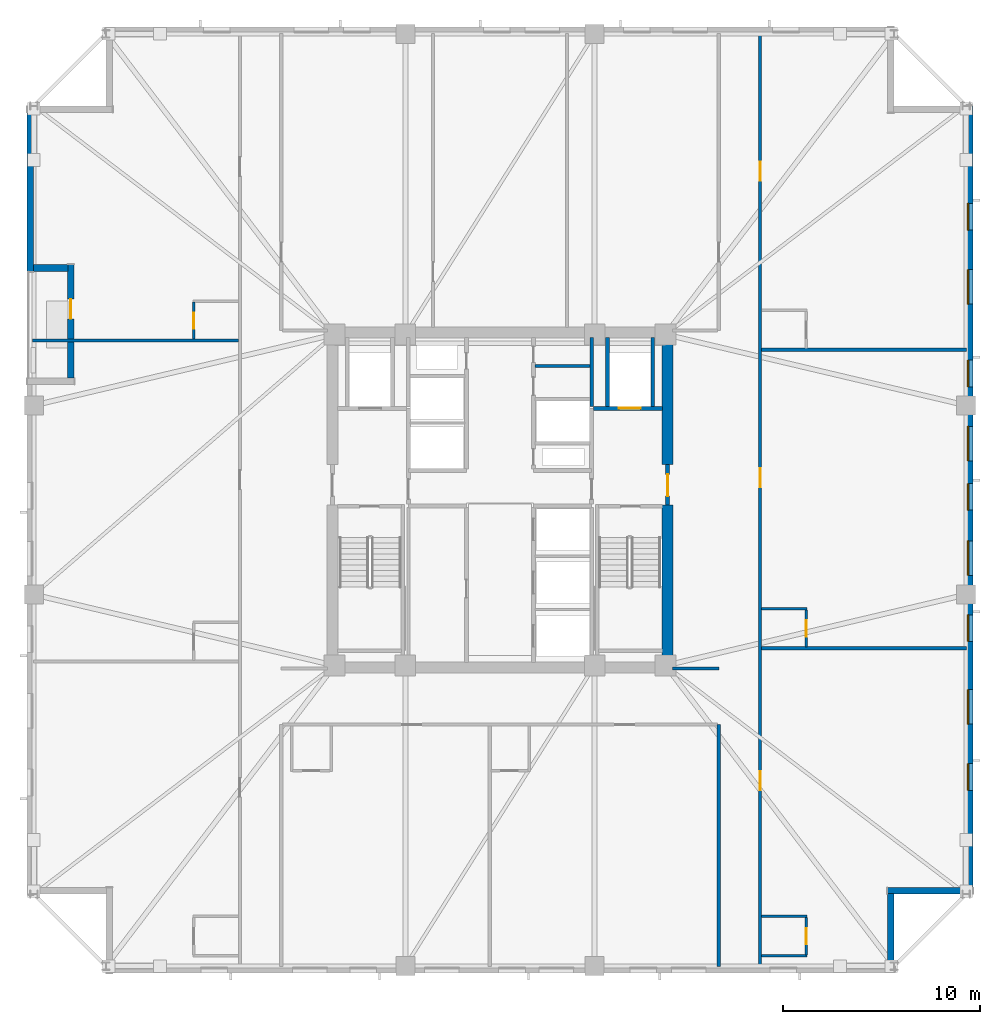
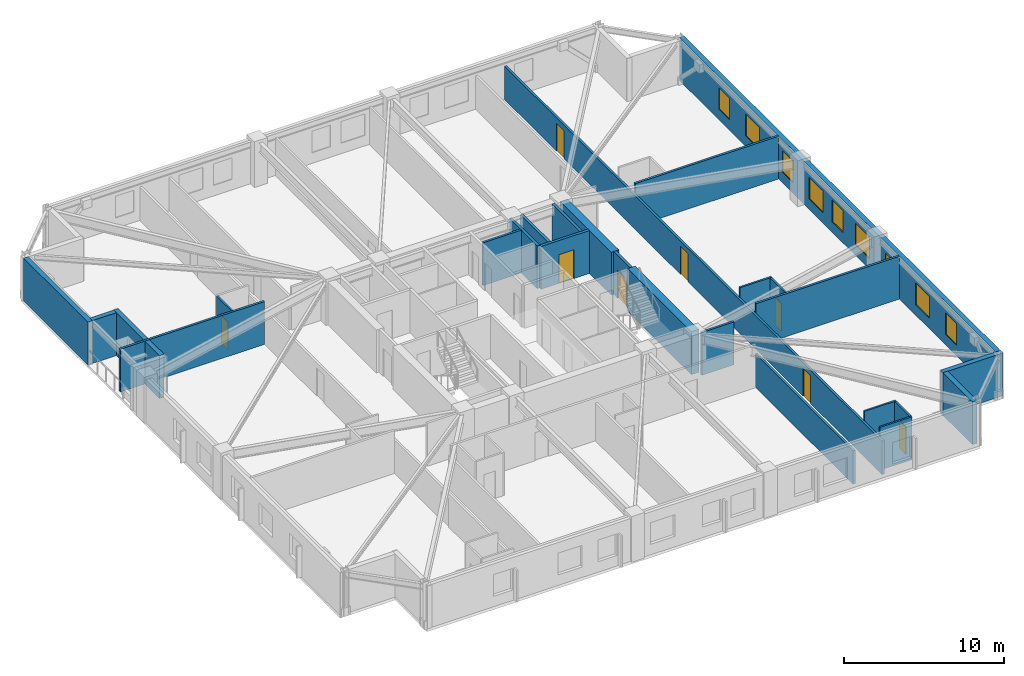
# One storey, part 4 of 10: 26 walls, 9 doors, 9 windows, 18 openings.
"""IFC4 building model written with IfcOpenShell, lengths in metres."""

import ifcopenshell
import ifcopenshell.guid

model = None  # the IFC model being written
_history = None  # IfcOwnerHistory: only IFC2X3 demands one
_inside = {}  # id of a spatial element -> (the spatial element, [elements in it])
_under = {}  # id of a project, library or spatial element -> (it, [spatial elements below it])
_declared = {}  # id of a project -> (the project, [libraries it declares])
_typed = {}  # id of a type object -> (the type object, [elements of that type])
_made_of = {}  # id of a material, layer set ... -> (it, [elements and type objects made of it])


def new_model(schema):
    """Start an empty IFC model of exactly this schema.

    Asked for "IFC4X3", IfcOpenShell would pick the latest addendum, in which some entities
    have other attributes; the version numbers below select the first issue.
    IFC2X3 requires an IfcOwnerHistory on every rooted entity: one is made here for all.
    """
    global model, _history
    if schema == "IFC4X3":
        model = ifcopenshell.file(schema_version=(4, 3, 0, 0))
    else:
        model = ifcopenshell.file(schema=schema)
    _inside.clear()
    _under.clear()
    _declared.clear()
    _typed.clear()
    _made_of.clear()
    _history = None
    if model.schema == "IFC2X3":
        org = make("IfcOrganization", Name="unknown")
        user = make(
            "IfcPersonAndOrganization",
            ThePerson=make("IfcPerson", FamilyName="unknown"),
            TheOrganization=org,
        )
        app = make(
            "IfcApplication",
            ApplicationDeveloper=org,
            Version="unknown",
            ApplicationFullName="unknown",
            ApplicationIdentifier="unknown",
        )
        _history = make(
            "IfcOwnerHistory",
            OwningUser=user,
            OwningApplication=app,
            ChangeAction="ADDED",
            CreationDate=0,
        )
    return model


def make(cls, **values):
    """One entity of the class cls with the attributes given. An attribute that is None is left unset."""
    return model.create_entity(
        cls, **{name: value for name, value in values.items() if value is not None}
    )


def rooted(cls, **values):
    """An entity with a GlobalId (a new one), such as an element, a storey or a relation."""
    return make(cls, GlobalId=ifcopenshell.guid.new(), OwnerHistory=_history, **values)


def si_unit(unit_type, name, prefix=None):
    """IfcSIUnit, for example si_unit("LENGTHUNIT", "METRE", prefix="MILLI")."""
    return make("IfcSIUnit", UnitType=unit_type, Prefix=prefix, Name=name)


def assignment(units):
    """IfcUnitAssignment: the units of a project."""
    return None if units is None else make("IfcUnitAssignment", Units=units)


def point(xyz):
    """IfcCartesianPoint."""
    return None if xyz is None else make("IfcCartesianPoint", Coordinates=xyz)


def direction(xyz):
    """IfcDirection."""
    return None if xyz is None else make("IfcDirection", DirectionRatios=xyz)


def frame(location, z_axis=None, x_axis=None):
    """IfcAxis2Placement3D, a coordinate frame: its origin and axes. An axis left out is left unset."""
    return make(
        "IfcAxis2Placement3D",
        Location=point(location),
        Axis=direction(z_axis),
        RefDirection=direction(x_axis),
    )


def frame_2d(location, x_axis=None):
    """IfcAxis2Placement2D, a coordinate frame in the plane: its origin and x axis."""
    return make(
        "IfcAxis2Placement2D", Location=point(location), RefDirection=direction(x_axis)
    )


def origin():
    """The frame at (0, 0, 0) with its axes left unset."""
    return frame((0.0, 0.0, 0.0))


def place(relative_to, where):
    """IfcLocalPlacement: puts the frame where relative to a parent placement (None: the world)."""
    return make(
        "IfcLocalPlacement", PlacementRelTo=relative_to, RelativePlacement=where
    )


def context(
    kind, dimensions, precision=None, world=None, true_north=None, identifier=None
):
    """IfcGeometricRepresentationContext, for example the 3D "Model" context."""
    return make(
        "IfcGeometricRepresentationContext",
        ContextIdentifier=identifier,
        ContextType=kind,
        CoordinateSpaceDimension=dimensions,
        Precision=precision,
        WorldCoordinateSystem=world,
        TrueNorth=true_north,
    )


def subcontext(parent, identifier, kind, view, scale=None):
    """IfcGeometricRepresentationSubContext, for example "Body" below "Model"."""
    return make(
        "IfcGeometricRepresentationSubContext",
        ContextIdentifier=identifier,
        ContextType=kind,
        ParentContext=parent,
        TargetScale=scale,
        TargetView=view,
    )


def project(units=None, contexts=None):
    """IfcProject with its units and contexts."""
    return rooted(
        "IfcProject",
        Name="project",
        RepresentationContexts=contexts,
        UnitsInContext=assignment(units),
    )


def spatial(cls, under=None, at=None, **own):
    """A site, building, storey or space (cls), placed at a placement, below another one or the project."""
    s = rooted(cls, ObjectPlacement=at, **own)
    if under is not None:
        _under.setdefault(under.id(), (under, []))[1].append(s)
    return s


def profile(cls, at=None, kind="AREA", **sizes):
    """A parametric profile (cls). Its sizes go by their IFC names, for example OverallWidth=200.0."""
    return make(cls, ProfileType=kind, Position=at, **sizes)


def rectangle(**sizes):
    """IfcRectangleProfileDef."""
    return profile("IfcRectangleProfileDef", **sizes)


def extrude(swept, where, along, depth):
    """IfcExtrudedAreaSolid: the profile swept, set in the frame where, extruded along a direction by depth."""
    return make(
        "IfcExtrudedAreaSolid",
        SweptArea=swept,
        Position=where,
        ExtrudedDirection=direction(along),
        Depth=depth,
    )


def shape(context_of_items, identifier, shape_type, items):
    """IfcShapeRepresentation: the items that make up one representation, for example the "Body"."""
    return make(
        "IfcShapeRepresentation",
        ContextOfItems=context_of_items,
        RepresentationIdentifier=identifier,
        RepresentationType=shape_type,
        Items=items,
    )


def material(Name=None, Category=None):
    """IfcMaterial."""
    return make("IfcMaterial", Name=Name, Category=Category)


def layer(
    of_material, thickness, ventilated=None, Name=None, Category=None, Priority=None
):
    """IfcMaterialLayer: one layer of a wall or slab, of a material (None: an air gap)."""
    return make(
        "IfcMaterialLayer",
        Material=of_material,
        LayerThickness=thickness,
        IsVentilated=ventilated,
        Name=Name,
        Category=Category,
        Priority=Priority,
    )


def layer_set(layers, Name=None):
    """IfcMaterialLayerSet."""
    return make("IfcMaterialLayerSet", MaterialLayers=layers, LayerSetName=Name)


def made_of(thing, what):
    """Note that an element or type object is made of a material, layer set ...; save() writes the relation."""
    if what is not None:
        _made_of.setdefault(what.id(), (what, []))[1].append(thing)
    return thing


def type_object(cls, material=None, **own):
    """A type object (cls), such as IfcWallType, which elements share."""
    return made_of(rooted(cls, **own), material)


def element(
    cls,
    number,
    at=None,
    inside=None,
    cuts=None,
    type_object=None,
    material=None,
    context=None,
    identifier="Body",
    shape_type=None,
    held_by="IfcProductDefinitionShape",
    body=None,
    shapes=None,
    **own,
):
    """One element of the class cls, such as IfcWall. Its Tag is "e" and its number.

    at: its placement. inside: the storey or other place that contains it. cuts: it is an
    opening in that element (IfcRelVoidsElement). A single representation is given by context,
    identifier, shape_type and body (its items); several are given by shapes. held_by: the class
    of the entity that holds the representations. save() writes the other relations.
    """
    e = rooted(cls, Tag="e%d" % number, ObjectPlacement=at, **own)
    if body is not None:
        shapes = [shape(context, identifier, shape_type, body)]
    if shapes is not None:
        e.Representation = make(held_by, Representations=shapes)
    if inside is not None:
        _inside.setdefault(inside.id(), (inside, []))[1].append(e)
    if cuts is not None:
        rooted(
            "IfcRelVoidsElement", RelatingBuildingElement=cuts, RelatedOpeningElement=e
        )
    if type_object is not None:
        _typed.setdefault(type_object.id(), (type_object, []))[1].append(e)
    return made_of(e, material)


def fill(opening, filler):
    """IfcRelFillsElement: the door or window that sits in an opening."""
    return rooted(
        "IfcRelFillsElement",
        RelatingOpeningElement=opening,
        RelatedBuildingElement=filler,
    )


def aggregate(whole, parts):
    """IfcRelAggregates: a whole, such as a stair, and the parts it consists of."""
    return rooted("IfcRelAggregates", RelatingObject=whole, RelatedObjects=parts)


def save(model, path):
    """Write the relations noted so far, then the file.

    IfcRelAggregates (storeys below a building ...), IfcRelContainedInSpatialStructure (elements
    in a storey), IfcRelDefinesByType, IfcRelAssociatesMaterial and IfcRelDeclares: one each for
    every whole, place, type object, material and project.
    """
    for whole, parts in _under.values():
        aggregate(whole, parts)
    for where, things in _inside.values():
        rooted(
            "IfcRelContainedInSpatialStructure",
            RelatedElements=things,
            RelatingStructure=where,
        )
    for kind, things in _typed.values():
        rooted("IfcRelDefinesByType", RelatedObjects=things, RelatingType=kind)
    for what, things in _made_of.values():
        rooted("IfcRelAssociatesMaterial", RelatedObjects=things, RelatingMaterial=what)
    for by, libraries in _declared.values():
        rooted("IfcRelDeclares", RelatingContext=by, RelatedDefinitions=libraries)
    model.write(path)


model = new_model("IFC4")

# Units and contexts
model_context = context("Model", 3, precision=1e-05, world=origin(), true_north=direction((0.0, 1.0)))
body_context = subcontext(model_context, "Body", "Model", "MODEL_VIEW")
ifc_project = project(units=[si_unit("LENGTHUNIT", "METRE"), si_unit("AREAUNIT", "SQUARE_METRE"), si_unit("VOLUMEUNIT", "CUBIC_METRE"), si_unit("PLANEANGLEUNIT", "RADIAN"), si_unit("MASSUNIT", "GRAM", prefix="KILO")], contexts=[model_context])

# Site, building, storey
site_placement = place(None, origin())
site = spatial("IfcSite", under=ifc_project, at=site_placement, CompositionType="ELEMENT")
building_placement = place(site_placement, origin())
building = spatial("IfcBuilding", under=site, at=building_placement, Name="Cairnveth Concourse Tower", CompositionType="ELEMENT")
storey_placement = place(building_placement, frame((0.0, 0.0, 113.0)))
storey = spatial("IfcBuildingStorey", under=building, at=storey_placement, Name="L30", CompositionType="ELEMENT", Elevation=113.0)

# Wall
ifc_material_1 = material(Name="Gypsum Plasterboard Partition", Category="gypsum")
ifc_layer_1 = layer(ifc_material_1, 0.159912109375)
ifc_layer_set_1 = layer_set([ifc_layer_1], Name="Gypsum Plasterboard Partition")
wall_type_1 = type_object("IfcWallType", Name="ACOUSTIC PARTY WALL 180", PredefinedType="PARTITIONING", material=ifc_layer_set_1)
wall_1_placement = place(storey_placement, frame((53.784912109375, 45.800048828125, 0.0), z_axis=(0.0, 0.0, 1.0), x_axis=(1.0, 0.0, 0.0)))
element("IfcWall", 1, at=wall_1_placement, inside=storey, type_object=wall_type_1, Name="Interior Wall IW-L30-035", PredefinedType="PARTITIONING", context=body_context, shape_type="SweptSolid", body=[
    extrude(rectangle(XDim=2.7900390625, YDim=0.159912109375, at=frame_2d((1.39501953125, 0.0))), origin(), (0.0, 0.0, 1.0), 3.280029296875),
])

# Wall, openings, doors
wall_2_placement = place(storey_placement, frame((65.199951171875, 15.324951171875, 0.0), z_axis=(0.0, 0.0, 1.0), x_axis=(0.0, 1.0, 0.0)))
wall_2 = element("IfcWall", 2, at=wall_2_placement, inside=storey, type_object=wall_type_1, Name="Interior Wall IW-L30-041", PredefinedType="PARTITIONING", context=body_context, shape_type="SweptSolid", body=[
    extrude(rectangle(XDim=47.35009765625, YDim=0.159912109375, at=frame_2d((23.675048828125, 0.0))), origin(), (0.0, 0.0, 1.0), 2.554931640625),
])
opening_1_placement = place(wall_2_placement, frame((8.944091796875, 0.0, 0.0)))
opening_1 = element("IfcOpeningElement", 3, at=opening_1_placement, cuts=wall_2, Name="Opening ID09", PredefinedType="OPENING", context=body_context, shape_type="SweptSolid", body=[
    extrude(rectangle(XDim=0.9599609375, YDim=2.14990234375, at=frame_2d((0.47998046875, 1.074951171875))), frame((0.0, 0.08984375, 0.0), z_axis=(0.0, -1.0, 0.0), x_axis=(1.0, 0.0, 0.0)), (0.0, 0.0, 1.0), 0.179931640625),
])
opening_2_placement = place(wall_2_placement, frame((24.322021484375, 0.0, 0.0)))
opening_2 = element("IfcOpeningElement", 4, at=opening_2_placement, cuts=wall_2, Name="Opening ID09", PredefinedType="OPENING", context=body_context, shape_type="SweptSolid", body=[
    extrude(rectangle(XDim=0.9599609375, YDim=2.14990234375, at=frame_2d((0.47998046875, 1.074951171875))), frame((0.0, 0.08984375, 0.0), z_axis=(0.0, -1.0, 0.0), x_axis=(1.0, 0.0, 0.0)), (0.0, 0.0, 1.0), 0.179931640625),
])
opening_3_placement = place(wall_2_placement, frame((39.873046875, 0.0, 0.0)))
opening_3 = element("IfcOpeningElement", 5, at=opening_3_placement, cuts=wall_2, Name="Opening ID09", PredefinedType="OPENING", context=body_context, shape_type="SweptSolid", body=[
    extrude(rectangle(XDim=0.9599609375, YDim=2.14990234375, at=frame_2d((0.47998046875, 1.074951171875))), frame((0.0, 0.08984375, 0.0), z_axis=(0.0, -1.0, 0.0), x_axis=(1.0, 0.0, 0.0)), (0.0, 0.0, 1.0), 0.179931640625),
])
ifc_material_2 = material(Name="Solid Core Hardwood Timber Leaf", Category="wood")
door_type_1 = type_object("IfcDoorType", Name="HOTEL ENTRANCE DOOR 960X2150", OperationType="NOTDEFINED", PredefinedType="DOOR", material=ifc_material_2)
door_1_placement = place(opening_1_placement, origin())
door_1 = element("IfcDoor", 6, at=door_1_placement, inside=storey, type_object=door_type_1, Name="Hotel Room Door L30-E1", OperationType="SINGLE_SWING_LEFT", OverallHeight=2.14990234375, OverallWidth=0.9599609375, PredefinedType="DOOR", context=body_context, shape_type="SweptSolid", body=[
    extrude(rectangle(XDim=0.9599609375, YDim=2.14990234375, at=frame_2d((0.47998046875, 1.074951171875))), frame((0.0, 0.02490234375, 0.0), z_axis=(0.0, -1.0, 0.0), x_axis=(1.0, 0.0, 0.0)), (0.0, 0.0, 1.0), 0.050048828125),
])
fill(opening_1, door_1)
door_2_placement = place(opening_2_placement, origin())
door_2 = element("IfcDoor", 7, at=door_2_placement, inside=storey, type_object=door_type_1, Name="Hotel Room Door L30-E2", OperationType="SINGLE_SWING_LEFT", OverallHeight=2.14990234375, OverallWidth=0.9599609375, PredefinedType="DOOR", context=body_context, shape_type="SweptSolid", body=[
    extrude(rectangle(XDim=0.9599609375, YDim=2.14990234375, at=frame_2d((0.47998046875, 1.074951171875))), frame((0.0, 0.02490234375, 0.0), z_axis=(0.0, -1.0, 0.0), x_axis=(1.0, 0.0, 0.0)), (0.0, 0.0, 1.0), 0.050048828125),
])
fill(opening_2, door_2)
door_3_placement = place(opening_3_placement, origin())
door_3 = element("IfcDoor", 8, at=door_3_placement, inside=storey, type_object=door_type_1, Name="Hotel Room Door L30-E3", OperationType="SINGLE_SWING_LEFT", OverallHeight=2.14990234375, OverallWidth=0.9599609375, PredefinedType="DOOR", context=body_context, shape_type="SweptSolid", body=[
    extrude(rectangle(XDim=0.9599609375, YDim=2.14990234375, at=frame_2d((0.47998046875, 1.074951171875))), frame((0.0, 0.02490234375, 0.0), z_axis=(0.0, -1.0, 0.0), x_axis=(1.0, 0.0, 0.0)), (0.0, 0.0, 1.0), 0.050048828125),
])
fill(opening_3, door_3)

# Walls
wall_3_placement = place(storey_placement, frame((63.10009765625, 15.324951171875, 0.0), z_axis=(0.0, 0.0, 1.0), x_axis=(0.0, 1.0, 0.0)))
element("IfcWall", 9, at=wall_3_placement, inside=storey, type_object=wall_type_1, Name="Interior Wall IW-L30-042", PredefinedType="PARTITIONING", context=body_context, shape_type="SweptSolid", body=[
    extrude(rectangle(XDim=12.275146484375, YDim=0.159912109375, at=frame_2d((6.1376953125, 0.0))), origin(), (0.0, 0.0, 1.0), 2.554931640625),
])
wall_4_placement = place(storey_placement, frame((60.764892578125, 30.449951171875, 0.0), z_axis=(0.0, 0.0, 1.0), x_axis=(1.0, 0.0, 0.0)))
element("IfcWall", 10, at=wall_4_placement, inside=storey, type_object=wall_type_1, Name="Interior Wall IW-L30-044", PredefinedType="PARTITIONING", context=body_context, shape_type="SweptSolid", body=[
    extrude(rectangle(XDim=2.335205078125, YDim=0.159912109375, at=frame_2d((1.16748046875, 0.0))), origin(), (0.0, 0.0, 1.0), 3.280029296875),
])
wall_5_placement = place(storey_placement, frame((28.27001953125, 47.093994140625, 0.0), z_axis=(0.0, 0.0, 1.0), x_axis=(1.0, 0.0, 0.0)))
element("IfcWall", 11, at=wall_5_placement, inside=storey, type_object=wall_type_1, Name="Interior Wall IW-L30-061", PredefinedType="PARTITIONING", context=body_context, shape_type="SweptSolid", body=[
    extrude(rectangle(XDim=10.449951171875, YDim=0.159912109375, at=frame_2d((5.22509765625, 0.0))), origin(), (0.0, 0.0, 1.0), 3.280029296875),
])
for number, where, z_axis, x_axis, name in (
    (12, (65.280029296875, 31.47802734375, 0.0), (0.0, 0.0, 1.0), (1.0, 0.0, 0.0), "Interior Wall IW-L30-067"),
    (13, (65.280029296875, 46.6259765625, 0.0), (0.0, 0.0, 1.0), (1.0, 0.0, 0.0), "Interior Wall IW-L30-070"),
):
    element("IfcWall", number, at=place(storey_placement, frame(where, z_axis=z_axis, x_axis=x_axis)), inside=storey, type_object=wall_type_1, Name=name, PredefinedType="PARTITIONING", context=body_context, shape_type="SweptSolid", body=[
        extrude(rectangle(XDim=10.39501953125, YDim=0.159912109375, at=frame_2d((5.197509765625, 0.0))), origin(), (0.0, 0.0, 1.0), 3.280029296875),
    ])
ifc_material_3 = material(Name="Concrete N80 (80 MPa)", Category="concrete")
ifc_layer_2 = layer(ifc_material_3, 0.550048828125)
ifc_layer_set_2 = layer_set([ifc_layer_2], Name="Concrete N80 (80 MPa)")
wall_type_2 = type_object("IfcWallType", Name="CORE SHEAR WALL 550", PredefinedType="SHEAR", material=ifc_layer_set_2)
wall_6_placement = place(storey_placement, frame((60.5, 30.764892578125, 0.0), z_axis=(0.0, 0.0, 1.0), x_axis=(0.0, 1.0, 0.0)))
element("IfcWall", 14, at=wall_6_placement, inside=storey, type_object=wall_type_2, Name="Core East Shear Wall S L30", PredefinedType="SHEAR", context=body_context, shape_type="SweptSolid", body=[
    extrude(rectangle(XDim=7.985107421875, YDim=0.550048828125, at=frame_2d((3.99267578125, 0.0))), origin(), (0.0, 0.0, 1.0), 3.280029296875),
])
wall_7_placement = place(storey_placement, frame((60.5, 40.800048828125, 0.0), z_axis=(0.0, 0.0, 1.0), x_axis=(0.0, 1.0, 0.0)))
element("IfcWall", 15, at=wall_7_placement, inside=storey, type_object=wall_type_2, Name="Core East Shear Wall N L30", PredefinedType="SHEAR", context=body_context, shape_type="SweptSolid", body=[
    extrude(rectangle(XDim=6.43505859375, YDim=0.550048828125, at=frame_2d((3.217529296875, 0.0))), origin(), (0.0, 0.0, 1.0), 3.280029296875),
])
ifc_material_4 = material(Name="Concrete N50 (50 MPa)", Category="concrete")
ifc_layer_3 = layer(ifc_material_4, 0.179931640625)
ifc_layer_set_3 = layer_set([ifc_layer_3], Name="Concrete N50 (50 MPa)")
wall_type_3 = type_object("IfcWallType", Name="FIRE SHAFT WALL 180", PredefinedType="SOLIDWALL", material=ifc_layer_set_3)
wall_8_placement = place(storey_placement, frame((56.64990234375, 43.735107421875, 0.0), z_axis=(0.0, 0.0, 1.0), x_axis=(0.0, 1.0, 0.0)))
element("IfcWall", 16, at=wall_8_placement, inside=storey, type_object=wall_type_3, Name="Interior Wall IW-L30-032", PredefinedType="SOLIDWALL", context=body_context, shape_type="SweptSolid", body=[
    extrude(rectangle(XDim=3.5048828125, YDim=0.179931640625, at=frame_2d((1.75244140625, 0.0))), origin(), (0.0, 0.0, 1.0), 3.280029296875),
])

# Wall, opening, door
ifc_layer_4 = layer(ifc_material_4, 0.199951171875)
ifc_layer_set_4 = layer_set([ifc_layer_4], Name="Concrete N50 (50 MPa)")
wall_type_4 = type_object("IfcWallType", Name="FIRE SHAFT WALL 200", PredefinedType="SOLIDWALL", material=ifc_layer_set_4)
wall_9_placement = place(storey_placement, frame((60.5, 38.75, 0.0), z_axis=(0.0, 0.0, 1.0), x_axis=(0.0, 1.0, 0.0)))
wall_9 = element("IfcWall", 17, at=wall_9_placement, inside=storey, type_object=wall_type_4, Name="Interior Wall IW-L30-020", PredefinedType="SOLIDWALL", context=body_context, shape_type="SweptSolid", body=[
    extrude(rectangle(XDim=2.050048828125, YDim=0.199951171875, at=frame_2d((1.02490234375, 0.0))), origin(), (0.0, 0.0, 1.0), 3.280029296875),
])
opening_4_placement = place(wall_9_placement, frame((0.449951171875, 0.0, 0.0)))
opening_4 = element("IfcOpeningElement", 18, at=opening_4_placement, cuts=wall_9, Name="Opening ID06", PredefinedType="OPENING", context=body_context, shape_type="SweptSolid", body=[
    extrude(rectangle(XDim=1.10009765625, YDim=2.14990234375, at=frame_2d((0.550048828125, 1.074951171875))), frame((0.0, 0.10986328125, 0.0), z_axis=(0.0, -1.0, 0.0), x_axis=(1.0, 0.0, 0.0)), (0.0, 0.0, 1.0), 0.219970703125),
])
ifc_material_5 = material(Name="Steel Grade 350", Category="steel")
door_type_2 = type_object("IfcDoorType", Name="FIRE CORRIDOR DOOR 1100X2150", OperationType="NOTDEFINED", PredefinedType="DOOR", material=ifc_material_5)
door_4_placement = place(opening_4_placement, origin())
door_4 = element("IfcDoor", 19, at=door_4_placement, inside=storey, type_object=door_type_2, Name="East Wing to FF Lobby Door L30", OperationType="SINGLE_SWING_RIGHT", OverallHeight=2.14990234375, OverallWidth=1.10009765625, PredefinedType="DOOR", context=body_context, shape_type="SweptSolid", body=[
    extrude(rectangle(XDim=1.10009765625, YDim=2.14990234375, at=frame_2d((0.550048828125, 1.074951171875))), frame((0.0, 0.02490234375, 0.0), z_axis=(0.0, -1.0, 0.0), x_axis=(1.0, 0.0, 0.0)), (0.0, 0.0, 1.0), 0.050048828125),
])
fill(opening_4, door_4)

wall_10_placement = place(storey_placement, frame((56.735107421875, 43.64990234375, 0.0), z_axis=(0.0, 0.0, 1.0), x_axis=(1.0, 0.0, 0.0)))
wall_10 = element("IfcWall", 20, at=wall_10_placement, inside=storey, type_object=wall_type_4, Name="Interior Wall IW-L30-022", PredefinedType="SOLIDWALL", context=body_context, shape_type="SweptSolid", body=[
    extrude(rectangle(XDim=3.5048828125, YDim=0.199951171875, at=frame_2d((1.75244140625, 0.0))), origin(), (0.0, 0.0, 1.0), 3.280029296875),
])
opening_5_placement = place(wall_10_placement, frame((1.294921875, 0.0, 0.0)))
opening_5 = element("IfcOpeningElement", 21, at=opening_5_placement, cuts=wall_10, Name="Opening LD-1", PredefinedType="OPENING", context=body_context, shape_type="SweptSolid", body=[
    extrude(rectangle(XDim=1.10009765625, YDim=2.199951171875, at=frame_2d((0.550048828125, 1.10009765625))), frame((0.0, 0.10986328125, 0.0), z_axis=(0.0, -1.0, 0.0), x_axis=(1.0, 0.0, 0.0)), (0.0, 0.0, 1.0), 0.219970703125),
])
ifc_material_6 = material(Name="Architectural Bronze Anodised Aluminium 6063-T6", Category="aluminium")
door_type_3 = type_object("IfcDoorType", Name="LIFT LANDING DOOR 1100X2200", OperationType="SLIDING_TO_LEFT", PredefinedType="DOOR", material=ifc_material_6)
door_5_placement = place(opening_5_placement, origin())
door_5 = element("IfcDoor", 22, at=door_5_placement, inside=storey, type_object=door_type_3, Name="Lift FFL2 Landing Door L30", OperationType="SLIDING_TO_LEFT", OverallHeight=2.199951171875, OverallWidth=1.10009765625, PredefinedType="DOOR", context=body_context, shape_type="SweptSolid", body=[
    extrude(rectangle(XDim=1.10009765625, YDim=2.199951171875, at=frame_2d((0.550048828125, 1.10009765625))), frame((0.0, 0.02490234375, 0.0), z_axis=(0.0, -1.0, 0.0), x_axis=(1.0, 0.0, 0.0)), (0.0, 0.0, 1.0), 0.050048828125),
])
fill(opening_5, door_5)

# Walls
for number, where, z_axis, x_axis, name in (
    (23, (57.449951171875, 43.735107421875, 0.0), (0.0, 0.0, 1.0), (0.0, 1.0, 0.0), "Interior Wall IW-L30-023"),
    (24, (59.75, 43.735107421875, 0.0), (0.0, 0.0, 1.0), (0.0, 1.0, 0.0), "Interior Wall IW-L30-024"),
):
    element("IfcWall", number, at=place(storey_placement, frame(where, z_axis=z_axis, x_axis=x_axis)), inside=storey, type_object=wall_type_4, Name=name, PredefinedType="SOLIDWALL", context=body_context, shape_type="SweptSolid", body=[
        extrude(rectangle(XDim=3.5048828125, YDim=0.199951171875, at=frame_2d((1.75244140625, 0.0))), origin(), (0.0, 0.0, 1.0), 3.280029296875),
    ])

# Wall, opening, door
ifc_layer_5 = layer(ifc_material_1, 0.1298828125)
ifc_layer_set_5 = layer_set([ifc_layer_5], Name="Gypsum Plasterboard Partition")
wall_type_5 = type_object("IfcWallType", Name="WET AREA PARTITION 140", PredefinedType="PLUMBINGWALL", material=ifc_layer_set_5)
wall_11_placement = place(storey_placement, frame((36.469970703125, 47.158935546875, 0.0), z_axis=(0.0, 0.0, 1.0), x_axis=(0.0, 1.0, 0.0)))
wall_11 = element("IfcWall", 25, at=wall_11_placement, inside=storey, type_object=wall_type_5, Name="Interior Wall IW-L30-063", PredefinedType="PLUMBINGWALL", context=body_context, shape_type="SweptSolid", body=[
    extrude(rectangle(XDim=1.885009765625, YDim=0.1298828125, at=frame_2d((0.9423828125, 0.0))), origin(), (0.0, 0.0, 1.0), 3.280029296875),
])
opening_6_placement = place(wall_11_placement, frame((0.52490234375, 0.0, 0.0)))
opening_6 = element("IfcOpeningElement", 26, at=opening_6_placement, cuts=wall_11, Name="Opening ID22", PredefinedType="OPENING", context=body_context, shape_type="SweptSolid", body=[
    extrude(rectangle(XDim=0.820068359375, YDim=2.10009765625, at=frame_2d((0.41015625, 1.050048828125))), frame((0.0, 0.074951171875, 0.0), z_axis=(0.0, -1.0, 0.0), x_axis=(1.0, 0.0, 0.0)), (0.0, 0.0, 1.0), 0.14990234375),
])
door_type_4 = type_object("IfcDoorType", Name="INTERIOR WC DOOR 820X2100", OperationType="NOTDEFINED", PredefinedType="DOOR", material=ifc_material_2)
door_6_placement = place(opening_6_placement, origin())
door_6 = element("IfcDoor", 27, at=door_6_placement, inside=storey, type_object=door_type_4, Name="En-Suite Door L30-W3", OperationType="SINGLE_SWING_RIGHT", OverallHeight=2.10009765625, OverallWidth=0.820068359375, PredefinedType="DOOR", context=body_context, shape_type="SweptSolid", body=[
    extrude(rectangle(XDim=0.820068359375, YDim=2.10009765625, at=frame_2d((0.41015625, 1.050048828125))), frame((0.0, 0.02490234375, 0.0), z_axis=(0.0, -1.0, 0.0), x_axis=(1.0, 0.0, 0.0)), (0.0, 0.0, 1.0), 0.050048828125),
])
fill(opening_6, door_6)

# Walls
for number, where, z_axis, x_axis, name in (
    (28, (65.264892578125, 15.8701171875, 0.0), (0.0, 0.0, 1.0), (1.0, 0.0, 0.0), "Interior Wall IW-L30-064"),
    (29, (65.264892578125, 17.8701171875, 0.0), (0.0, 0.0, 1.0), (1.0, 0.0, 0.0), "Interior Wall IW-L30-065"),
):
    element("IfcWall", number, at=place(storey_placement, frame(where, z_axis=z_axis, x_axis=x_axis)), inside=storey, type_object=wall_type_5, Name=name, PredefinedType="PLUMBINGWALL", context=body_context, shape_type="SweptSolid", body=[
        extrude(rectangle(XDim=2.315185546875, YDim=0.1298828125, at=frame_2d((1.15771484375, 0.0))), origin(), (0.0, 0.0, 1.0), 3.280029296875),
    ])

# Wall, opening, door
wall_12_placement = place(storey_placement, frame((67.530029296875, 15.919921875, 0.0), z_axis=(0.0, 0.0, 1.0), x_axis=(0.0, 1.0, 0.0)))
wall_12 = element("IfcWall", 30, at=wall_12_placement, inside=storey, type_object=wall_type_5, Name="Interior Wall IW-L30-066", PredefinedType="PLUMBINGWALL", context=body_context, shape_type="SweptSolid", body=[
    extrude(rectangle(XDim=1.900146484375, YDim=0.1298828125, at=frame_2d((0.9501953125, 0.0))), origin(), (0.0, 0.0, 1.0), 3.280029296875),
])
opening_7_placement = place(wall_12_placement, frame((0.5400390625, 0.0, 0.0)))
opening_7 = element("IfcOpeningElement", 31, at=opening_7_placement, cuts=wall_12, Name="Opening ID22", PredefinedType="OPENING", context=body_context, shape_type="SweptSolid", body=[
    extrude(rectangle(XDim=0.820068359375, YDim=2.10009765625, at=frame_2d((0.41015625, 1.050048828125))), frame((0.0, 0.074951171875, 0.0), z_axis=(0.0, -1.0, 0.0), x_axis=(1.0, 0.0, 0.0)), (0.0, 0.0, 1.0), 0.14990234375),
])
door_7_placement = place(opening_7_placement, origin())
door_7 = element("IfcDoor", 32, at=door_7_placement, inside=storey, type_object=door_type_4, Name="En-Suite Door L30-E1", OperationType="SINGLE_SWING_RIGHT", OverallHeight=2.10009765625, OverallWidth=0.820068359375, PredefinedType="DOOR", context=body_context, shape_type="SweptSolid", body=[
    extrude(rectangle(XDim=0.820068359375, YDim=2.10009765625, at=frame_2d((0.41015625, 1.050048828125))), frame((0.0, 0.02490234375, 0.0), z_axis=(0.0, -1.0, 0.0), x_axis=(1.0, 0.0, 0.0)), (0.0, 0.0, 1.0), 0.050048828125),
])
fill(opening_7, door_7)

# Wall
wall_13_placement = place(storey_placement, frame((65.264892578125, 33.47802734375, 0.0), z_axis=(0.0, 0.0, 1.0), x_axis=(1.0, 0.0, 0.0)))
element("IfcWall", 33, at=wall_13_placement, inside=storey, type_object=wall_type_5, Name="Interior Wall IW-L30-068", PredefinedType="PLUMBINGWALL", context=body_context, shape_type="SweptSolid", body=[
    extrude(rectangle(XDim=2.315185546875, YDim=0.1298828125, at=frame_2d((1.15771484375, 0.0))), origin(), (0.0, 0.0, 1.0), 3.280029296875),
])

# Wall, opening, door
wall_14_placement = place(storey_placement, frame((67.530029296875, 31.54296875, 0.0), z_axis=(0.0, 0.0, 1.0), x_axis=(0.0, 1.0, 0.0)))
wall_14 = element("IfcWall", 34, at=wall_14_placement, inside=storey, type_object=wall_type_5, Name="Interior Wall IW-L30-069", PredefinedType="PLUMBINGWALL", context=body_context, shape_type="SweptSolid", body=[
    extrude(rectangle(XDim=1.885009765625, YDim=0.1298828125, at=frame_2d((0.9423828125, 0.0))), origin(), (0.0, 0.0, 1.0), 3.280029296875),
])
opening_8_placement = place(wall_14_placement, frame((0.52490234375, 0.0, 0.0)))
opening_8 = element("IfcOpeningElement", 35, at=opening_8_placement, cuts=wall_14, Name="Opening ID22", PredefinedType="OPENING", context=body_context, shape_type="SweptSolid", body=[
    extrude(rectangle(XDim=0.820068359375, YDim=2.10009765625, at=frame_2d((0.41015625, 1.050048828125))), frame((0.0, 0.074951171875, 0.0), z_axis=(0.0, -1.0, 0.0), x_axis=(1.0, 0.0, 0.0)), (0.0, 0.0, 1.0), 0.14990234375),
])
door_8_placement = place(opening_8_placement, origin())
door_8 = element("IfcDoor", 36, at=door_8_placement, inside=storey, type_object=door_type_4, Name="En-Suite Door L30-E2", OperationType="SINGLE_SWING_RIGHT", OverallHeight=2.10009765625, OverallWidth=0.820068359375, PredefinedType="DOOR", context=body_context, shape_type="SweptSolid", body=[
    extrude(rectangle(XDim=0.820068359375, YDim=2.10009765625, at=frame_2d((0.41015625, 1.050048828125))), frame((0.0, 0.02490234375, 0.0), z_axis=(0.0, -1.0, 0.0), x_axis=(1.0, 0.0, 0.0)), (0.0, 0.0, 1.0), 0.050048828125),
])
fill(opening_8, door_8)

# Wall
ifc_material_7 = material(Name="Hawthorn Red-Ochre Fired Clay Brick Masonry", Category="masonry")
ifc_layer_6 = layer(ifc_material_7, 0.340087890625)
ifc_layer_set_6 = layer_set([ifc_layer_6], Name="Hawthorn Red-Ochre Fired Clay Brick Masonry")
wall_type_6 = type_object("IfcWallType", Name="ZONE 2 BRICK PIER SPANDREL WALL 340", PredefinedType="SOLIDWALL", material=ifc_layer_set_6)
wall_15_placement = place(storey_placement, frame((28.169921875, 50.60009765625, 0.0), z_axis=(0.0, 0.0, 1.0), x_axis=(0.0, 1.0, 0.0)))
element("IfcWall", 37, at=wall_15_placement, inside=storey, type_object=wall_type_6, Name="Exterior Wall EW-L30-S00", PredefinedType="SOLIDWALL", context=body_context, shape_type="SweptSolid", body=[
    extrude(rectangle(XDim=8.081787109375, YDim=0.340087890625, at=frame_2d((4.041015625, 0.0))), origin(), (0.0, 0.0, 1.0), 3.280029296875),
])

# Wall, openings, windows
wall_16_placement = place(storey_placement, frame((75.830078125, 59.0, 0.0), z_axis=(0.0, 0.0, 1.0), x_axis=(0.0, -1.0, 0.0)))
wall_16 = element("IfcWall", 38, at=wall_16_placement, inside=storey, type_object=wall_type_6, Name="Exterior Wall EW-L30-S06", PredefinedType="SOLIDWALL", context=body_context, shape_type="SweptSolid", body=[
    extrude(rectangle(XDim=39.681884765625, YDim=0.340087890625, at=frame_2d((19.8408203125, 0.0))), origin(), (0.0, 0.0, 1.0), 3.280029296875),
])
opening_9_placement = place(wall_16_placement, frame((4.951904296875, 0.0, 0.800048828125)))
opening_9 = element("IfcOpeningElement", 39, at=opening_9_placement, cuts=wall_16, Name="Opening W02", PredefinedType="OPENING", context=body_context, shape_type="SweptSolid", body=[
    extrude(rectangle(XDim=1.35009765625, YDim=1.659912109375, at=frame_2d((0.675048828125, 0.830078125))), frame((0.0, 0.179931640625, 0.0), z_axis=(0.0, -1.0, 0.0), x_axis=(1.0, 0.0, 0.0)), (0.0, 0.0, 1.0), 0.360107421875),
])
opening_10_placement = place(wall_16_placement, frame((8.305419921875, 0.0, 0.800048828125)))
opening_10 = element("IfcOpeningElement", 40, at=opening_10_placement, cuts=wall_16, Name="Opening W06", PredefinedType="OPENING", context=body_context, shape_type="SweptSolid", body=[
    extrude(rectangle(XDim=1.75, YDim=1.659912109375, at=frame_2d((0.875, 0.830078125))), frame((0.0, 0.179931640625, 0.0), z_axis=(0.0, -1.0, 0.0), x_axis=(1.0, 0.0, 0.0)), (0.0, 0.0, 1.0), 0.360107421875),
])
opening_11_placement = place(wall_16_placement, frame((12.908935546875, 0.0, 0.800048828125)))
opening_11 = element("IfcOpeningElement", 41, at=opening_11_placement, cuts=wall_16, Name="Opening W02", PredefinedType="OPENING", context=body_context, shape_type="SweptSolid", body=[
    extrude(rectangle(XDim=1.35009765625, YDim=1.659912109375, at=frame_2d((0.675048828125, 0.830078125))), frame((0.0, 0.179931640625, 0.0), z_axis=(0.0, -1.0, 0.0), x_axis=(1.0, 0.0, 0.0)), (0.0, 0.0, 1.0), 0.360107421875),
])
opening_12_placement = place(wall_16_placement, frame((16.262451171875, 0.0, 0.800048828125)))
opening_12 = element("IfcOpeningElement", 42, at=opening_12_placement, cuts=wall_16, Name="Opening W06", PredefinedType="OPENING", context=body_context, shape_type="SweptSolid", body=[
    extrude(rectangle(XDim=1.75, YDim=1.659912109375, at=frame_2d((0.875, 0.830078125))), frame((0.0, 0.179931640625, 0.0), z_axis=(0.0, -1.0, 0.0), x_axis=(1.0, 0.0, 0.0)), (0.0, 0.0, 1.0), 0.360107421875),
])
opening_13_placement = place(wall_16_placement, frame((19.166015625, 0.0, 0.800048828125)))
opening_13 = element("IfcOpeningElement", 43, at=opening_13_placement, cuts=wall_16, Name="Opening W02", PredefinedType="OPENING", context=body_context, shape_type="SweptSolid", body=[
    extrude(rectangle(XDim=1.35009765625, YDim=1.659912109375, at=frame_2d((0.675048828125, 0.830078125))), frame((0.0, 0.179931640625, 0.0), z_axis=(0.0, -1.0, 0.0), x_axis=(1.0, 0.0, 0.0)), (0.0, 0.0, 1.0), 0.360107421875),
])
opening_14_placement = place(wall_16_placement, frame((22.069580078125, 0.0, 0.800048828125)))
opening_14 = element("IfcOpeningElement", 44, at=opening_14_placement, cuts=wall_16, Name="Opening W06", PredefinedType="OPENING", context=body_context, shape_type="SweptSolid", body=[
    extrude(rectangle(XDim=1.75, YDim=1.659912109375, at=frame_2d((0.875, 0.830078125))), frame((0.0, 0.179931640625, 0.0), z_axis=(0.0, -1.0, 0.0), x_axis=(1.0, 0.0, 0.0)), (0.0, 0.0, 1.0), 0.360107421875),
])
opening_15_placement = place(wall_16_placement, frame((25.822998046875, 0.0, 0.800048828125)))
opening_15 = element("IfcOpeningElement", 45, at=opening_15_placement, cuts=wall_16, Name="Opening W02", PredefinedType="OPENING", context=body_context, shape_type="SweptSolid", body=[
    extrude(rectangle(XDim=1.35009765625, YDim=1.659912109375, at=frame_2d((0.675048828125, 0.830078125))), frame((0.0, 0.179931640625, 0.0), z_axis=(0.0, -1.0, 0.0), x_axis=(1.0, 0.0, 0.0)), (0.0, 0.0, 1.0), 0.360107421875),
])
opening_16_placement = place(wall_16_placement, frame((29.626708984375, 0.0, 0.800048828125)))
opening_16 = element("IfcOpeningElement", 46, at=opening_16_placement, cuts=wall_16, Name="Opening W06", PredefinedType="OPENING", context=body_context, shape_type="SweptSolid", body=[
    extrude(rectangle(XDim=1.75, YDim=1.659912109375, at=frame_2d((0.875, 0.830078125))), frame((0.0, 0.179931640625, 0.0), z_axis=(0.0, -1.0, 0.0), x_axis=(1.0, 0.0, 0.0)), (0.0, 0.0, 1.0), 0.360107421875),
])
opening_17_placement = place(wall_16_placement, frame((33.380126953125, 0.0, 0.800048828125)))
opening_17 = element("IfcOpeningElement", 47, at=opening_17_placement, cuts=wall_16, Name="Opening W02", PredefinedType="OPENING", context=body_context, shape_type="SweptSolid", body=[
    extrude(rectangle(XDim=1.35009765625, YDim=1.659912109375, at=frame_2d((0.675048828125, 0.830078125))), frame((0.0, 0.179931640625, 0.0), z_axis=(0.0, -1.0, 0.0), x_axis=(1.0, 0.0, 0.0)), (0.0, 0.0, 1.0), 0.360107421875),
])
ifc_material_8 = material(Name="Double Glazed Low-E Clear Glass", Category="glass")
window_type_1 = type_object("IfcWindowType", Name="DEEP-SET GOTHIC LANCET WINDOW 1350X1800", PartitioningType="DOUBLE_PANEL_VERTICAL", PredefinedType="WINDOW", material=ifc_material_8)
window_1_placement = place(opening_9_placement, origin())
window_1 = element("IfcWindow", 48, at=window_1_placement, inside=storey, type_object=window_type_1, Name="Gothic Lancet Window L30-6-1", OverallHeight=1.659912109375, OverallWidth=1.35009765625, PartitioningType="SINGLE_PANEL", PredefinedType="WINDOW", context=body_context, shape_type="SweptSolid", body=[
    extrude(rectangle(XDim=1.35009765625, YDim=1.659912109375, at=frame_2d((0.675048828125, 0.830078125))), frame((0.0, -0.050048828125, 0.0), z_axis=(0.0, -1.0, 0.0), x_axis=(1.0, 0.0, 0.0)), (0.0, 0.0, 1.0), 0.06005859375),
])
fill(opening_9, window_1)
window_2_placement = place(opening_11_placement, origin())
window_2 = element("IfcWindow", 49, at=window_2_placement, inside=storey, type_object=window_type_1, Name="Gothic Lancet Window L30-6-3", OverallHeight=1.659912109375, OverallWidth=1.35009765625, PartitioningType="SINGLE_PANEL", PredefinedType="WINDOW", context=body_context, shape_type="SweptSolid", body=[
    extrude(rectangle(XDim=1.35009765625, YDim=1.659912109375, at=frame_2d((0.675048828125, 0.830078125))), frame((0.0, -0.050048828125, 0.0), z_axis=(0.0, -1.0, 0.0), x_axis=(1.0, 0.0, 0.0)), (0.0, 0.0, 1.0), 0.06005859375),
])
fill(opening_11, window_2)
window_3_placement = place(opening_13_placement, origin())
window_3 = element("IfcWindow", 50, at=window_3_placement, inside=storey, type_object=window_type_1, Name="Gothic Lancet Window L30-6-5", OverallHeight=1.659912109375, OverallWidth=1.35009765625, PartitioningType="SINGLE_PANEL", PredefinedType="WINDOW", context=body_context, shape_type="SweptSolid", body=[
    extrude(rectangle(XDim=1.35009765625, YDim=1.659912109375, at=frame_2d((0.675048828125, 0.830078125))), frame((0.0, -0.050048828125, 0.0), z_axis=(0.0, -1.0, 0.0), x_axis=(1.0, 0.0, 0.0)), (0.0, 0.0, 1.0), 0.06005859375),
])
fill(opening_13, window_3)
window_4_placement = place(opening_15_placement, origin())
window_4 = element("IfcWindow", 51, at=window_4_placement, inside=storey, type_object=window_type_1, Name="Gothic Lancet Window L30-6-7", OverallHeight=1.659912109375, OverallWidth=1.35009765625, PartitioningType="SINGLE_PANEL", PredefinedType="WINDOW", context=body_context, shape_type="SweptSolid", body=[
    extrude(rectangle(XDim=1.35009765625, YDim=1.659912109375, at=frame_2d((0.675048828125, 0.830078125))), frame((0.0, -0.050048828125, 0.0), z_axis=(0.0, -1.0, 0.0), x_axis=(1.0, 0.0, 0.0)), (0.0, 0.0, 1.0), 0.06005859375),
])
fill(opening_15, window_4)
window_5_placement = place(opening_17_placement, origin())
window_5 = element("IfcWindow", 52, at=window_5_placement, inside=storey, type_object=window_type_1, Name="Gothic Lancet Window L30-6-9", OverallHeight=1.659912109375, OverallWidth=1.35009765625, PartitioningType="SINGLE_PANEL", PredefinedType="WINDOW", context=body_context, shape_type="SweptSolid", body=[
    extrude(rectangle(XDim=1.35009765625, YDim=1.659912109375, at=frame_2d((0.675048828125, 0.830078125))), frame((0.0, -0.050048828125, 0.0), z_axis=(0.0, -1.0, 0.0), x_axis=(1.0, 0.0, 0.0)), (0.0, 0.0, 1.0), 0.06005859375),
])
fill(opening_17, window_5)
window_type_2 = type_object("IfcWindowType", Name="DEEP-SET HOTEL SUITE WINDOW 1750X1800", PartitioningType="DOUBLE_PANEL_VERTICAL", PredefinedType="WINDOW", material=ifc_material_8)
window_6_placement = place(opening_10_placement, origin())
window_6 = element("IfcWindow", 53, at=window_6_placement, inside=storey, type_object=window_type_2, Name="Gothic Lancet Window L30-6-2", OverallHeight=1.659912109375, OverallWidth=1.75, PartitioningType="SINGLE_PANEL", PredefinedType="WINDOW", context=body_context, shape_type="SweptSolid", body=[
    extrude(rectangle(XDim=1.75, YDim=1.659912109375, at=frame_2d((0.875, 0.830078125))), frame((0.0, -0.050048828125, 0.0), z_axis=(0.0, -1.0, 0.0), x_axis=(1.0, 0.0, 0.0)), (0.0, 0.0, 1.0), 0.06005859375),
])
fill(opening_10, window_6)
window_7_placement = place(opening_12_placement, origin())
window_7 = element("IfcWindow", 54, at=window_7_placement, inside=storey, type_object=window_type_2, Name="Gothic Lancet Window L30-6-4", OverallHeight=1.659912109375, OverallWidth=1.75, PartitioningType="SINGLE_PANEL", PredefinedType="WINDOW", context=body_context, shape_type="SweptSolid", body=[
    extrude(rectangle(XDim=1.75, YDim=1.659912109375, at=frame_2d((0.875, 0.830078125))), frame((0.0, -0.050048828125, 0.0), z_axis=(0.0, -1.0, 0.0), x_axis=(1.0, 0.0, 0.0)), (0.0, 0.0, 1.0), 0.06005859375),
])
fill(opening_12, window_7)
window_8_placement = place(opening_14_placement, origin())
window_8 = element("IfcWindow", 55, at=window_8_placement, inside=storey, type_object=window_type_2, Name="Gothic Lancet Window L30-6-6", OverallHeight=1.659912109375, OverallWidth=1.75, PartitioningType="SINGLE_PANEL", PredefinedType="WINDOW", context=body_context, shape_type="SweptSolid", body=[
    extrude(rectangle(XDim=1.75, YDim=1.659912109375, at=frame_2d((0.875, 0.830078125))), frame((0.0, -0.050048828125, 0.0), z_axis=(0.0, -1.0, 0.0), x_axis=(1.0, 0.0, 0.0)), (0.0, 0.0, 1.0), 0.06005859375),
])
fill(opening_14, window_8)
window_9_placement = place(opening_16_placement, origin())
window_9 = element("IfcWindow", 56, at=window_9_placement, inside=storey, type_object=window_type_2, Name="Gothic Lancet Window L30-6-8", OverallHeight=1.659912109375, OverallWidth=1.75, PartitioningType="SINGLE_PANEL", PredefinedType="WINDOW", context=body_context, shape_type="SweptSolid", body=[
    extrude(rectangle(XDim=1.75, YDim=1.659912109375, at=frame_2d((0.875, 0.830078125))), frame((0.0, -0.050048828125, 0.0), z_axis=(0.0, -1.0, 0.0), x_axis=(1.0, 0.0, 0.0)), (0.0, 0.0, 1.0), 0.06005859375),
])
fill(opening_16, window_9)

# Walls
wall_17_placement = place(storey_placement, frame((76.0, 19.169921875, 0.0), z_axis=(0.0, 0.0, 1.0), x_axis=(-1.0, 0.0, 0.0)))
element("IfcWall", 57, at=wall_17_placement, inside=storey, type_object=wall_type_6, Name="Exterior Wall EW-L30-S07", PredefinedType="SOLIDWALL", context=body_context, shape_type="SweptSolid", body=[
    extrude(rectangle(XDim=4.340087890625, YDim=0.340087890625, at=frame_2d((2.169921875, 0.0))), origin(), (0.0, 0.0, 1.0), 3.280029296875),
])
wall_18_placement = place(storey_placement, frame((71.830078125, 19.02197265625, 0.0), z_axis=(0.0, 0.0, 1.0), x_axis=(0.0, -1.0, 0.0)))
element("IfcWall", 58, at=wall_18_placement, inside=storey, type_object=wall_type_6, Name="Exterior Wall EW-L30-S08", PredefinedType="SOLIDWALL", context=body_context, shape_type="SweptSolid", body=[
    extrude(rectangle(XDim=3.703857421875, YDim=0.340087890625, at=frame_2d((1.85205078125, 0.0))), origin(), (0.0, 0.0, 1.0), 3.280029296875),
])

# Wall, opening, door
wall_19_placement = place(storey_placement, frame((30.219970703125, 45.177978515625, 0.0), z_axis=(0.0, 0.0, 1.0), x_axis=(0.0, 1.0, 0.0)))
wall_19 = element("IfcWall", 59, at=wall_19_placement, inside=storey, type_object=wall_type_6, Name="Exterior Wall EW-L30-S14", PredefinedType="SOLIDWALL", context=body_context, shape_type="SweptSolid", body=[
    extrude(rectangle(XDim=5.761962890625, YDim=0.340087890625, at=frame_2d((2.880859375, 0.0))), origin(), (0.0, 0.0, 1.0), 3.280029296875),
])
opening_18_placement = place(wall_19_placement, frame((3.013916015625, 0.0, 0.0)))
opening_18 = element("IfcOpeningElement", 60, at=opening_18_placement, cuts=wall_19, Name="Opening ED4", PredefinedType="OPENING", context=body_context, shape_type="SweptSolid", body=[
    extrude(rectangle(XDim=1.0, YDim=2.14990234375, at=frame_2d((0.5, 1.074951171875))), frame((0.0, 0.179931640625, 0.0), z_axis=(0.0, -1.0, 0.0), x_axis=(1.0, 0.0, 0.0)), (0.0, 0.0, 1.0), 0.360107421875),
])
door_type_5 = type_object("IfcDoorType", Name="TERRACE GLAZED DOOR 1000X2150", OperationType="NOTDEFINED", PredefinedType="DOOR", material=ifc_material_6)
door_9_placement = place(opening_18_placement, origin())
door_9 = element("IfcDoor", 61, at=door_9_placement, inside=storey, type_object=door_type_5, Name="Spiral Terrace Door L30", OperationType="SINGLE_SWING_LEFT", OverallHeight=2.14990234375, OverallWidth=1.0, PredefinedType="DOOR", context=body_context, shape_type="SweptSolid", body=[
    extrude(rectangle(XDim=1.0, YDim=2.14990234375, at=frame_2d((0.5, 1.074951171875))), frame((0.0, 0.02490234375, 0.0), z_axis=(0.0, -1.0, 0.0), x_axis=(1.0, 0.0, 0.0)), (0.0, 0.0, 1.0), 0.050048828125),
])
fill(opening_18, door_9)

# Wall
wall_20_placement = place(storey_placement, frame((30.072021484375, 50.77001953125, 0.0), z_axis=(0.0, 0.0, 1.0), x_axis=(-1.0, 0.0, 0.0)))
element("IfcWall", 62, at=wall_20_placement, inside=storey, type_object=wall_type_6, Name="Exterior Wall EW-L30-S15", PredefinedType="SOLIDWALL", context=body_context, shape_type="SweptSolid", body=[
    extrude(rectangle(XDim=1.75390625, YDim=0.340087890625, at=frame_2d((0.876953125, 0.0))), origin(), (0.0, 0.0, 1.0), 3.280029296875),
])

save(model, "model.ifc")
